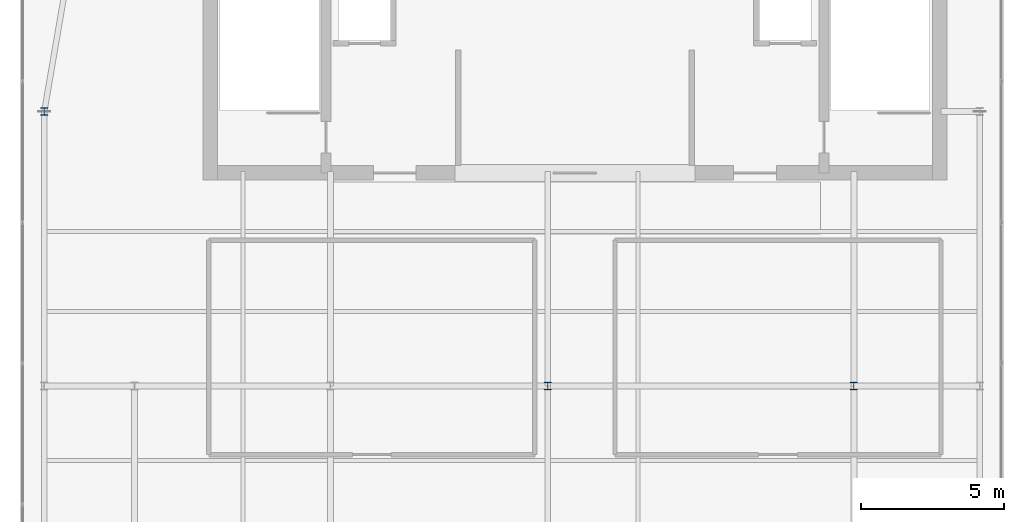
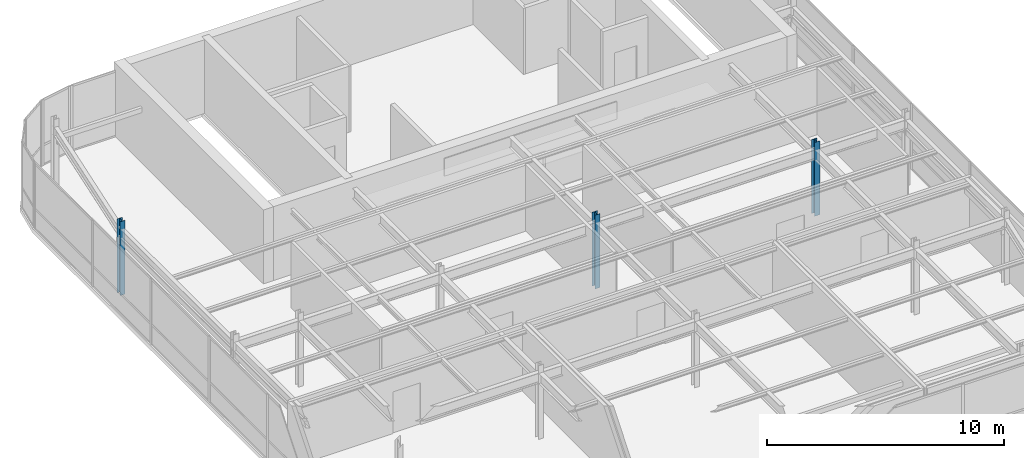
# One storey, part 2 of 35: 3 columns.
"""IFC4 building model written with IfcOpenShell, lengths in metres."""

from ifc_helpers import new_model, si_unit, direction, frame, origin, origin_2d, place, context, subcontext, project, spatial, i_section, extrude, source, transform, mapped, material, material_profile, profile_set, type_object, type_shapes, element, save


model = new_model("IFC4")

# Units and contexts
model_context = context("Model", 3, precision=1e-05, world=origin(), true_north=direction((0.0, 1.0)))
body_context = subcontext(model_context, "Body", "Model", "MODEL_VIEW")
ifc_project = project(units=[si_unit("LENGTHUNIT", "METRE"), si_unit("AREAUNIT", "SQUARE_METRE"), si_unit("VOLUMEUNIT", "CUBIC_METRE"), si_unit("PLANEANGLEUNIT", "RADIAN"), si_unit("MASSUNIT", "GRAM", prefix="KILO")], contexts=[model_context])

# Site, building, storey
site_placement = place(None, origin())
site = spatial("IfcSite", under=ifc_project, at=site_placement, CompositionType="ELEMENT")
building_placement = place(site_placement, origin())
building = spatial("IfcBuilding", under=site, at=building_placement, Name="Tolvann Quenvar Hotel", CompositionType="ELEMENT")
storey_placement = place(building_placement, frame((0.0, 0.0, 309.949951171875)))
storey = spatial("IfcBuildingStorey", under=building, at=storey_placement, Name="L82", CompositionType="ELEMENT", Elevation=309.949951171875)

# Columns
ifc_material = material(Name="Steel Grade 350", Category="steel")
ifc_material_profile = material_profile(ifc_material, i_section(OverallWidth=0.25390625, OverallDepth=0.25390625, WebThickness=0.008544921875, FlangeThickness=0.01416015625, FilletRadius=0.013916015625, at=origin_2d()), Name="250UC73")
ifc_profile_set = profile_set([ifc_material_profile], Name="Steel Grade 350")
column_type = type_object("IfcColumnType", Name="COL_250UC73", PredefinedType="COLUMN", material=ifc_profile_set)
shared_shape = source(origin(), body_context, "Body", "SweptSolid", [
    extrude(i_section(OverallWidth=0.25390625, OverallDepth=0.25390625, WebThickness=0.008544921875, FlangeThickness=0.01416015625, FilletRadius=0.013916015625, at=origin_2d()), origin(), (0.0, 0.0, 1.0), 3.800048828125),
])
type_shapes(column_type, [shared_shape])
for number, where, z_axis, x_axis, name in (
    (1, (22.050048828125, 24.39990234375, 0.0), (0.0, 0.0, 1.0), (1.0, 0.0, 0.0), "Column E5 (L82)"),
    (2, (32.75, 24.39990234375, 0.0), (0.0, 0.0, 1.0), (1.0, 0.0, 0.0), "Column FP5 (L82)"),
    (3, (4.449951171875, 34.0, 0.0), (0.0, 0.0, 1.0), (1.0, 0.0, 0.0), "Column BD6 (L82)"),
):
    element("IfcColumn", number, at=place(storey_placement, frame(where, z_axis=z_axis, x_axis=x_axis)), inside=storey, type_object=column_type, Name=name, PredefinedType="COLUMN", context=body_context, shape_type="MappedRepresentation", body=[
        mapped(shared_shape, transform((0.0, 0.0, 0.0), x_axis=(1.0, 0.0, 0.0), y_axis=(0.0, 1.0, 0.0), z_axis=(0.0, 0.0, 1.0), scale=1.0)),
    ])

save(model, "model.ifc")
